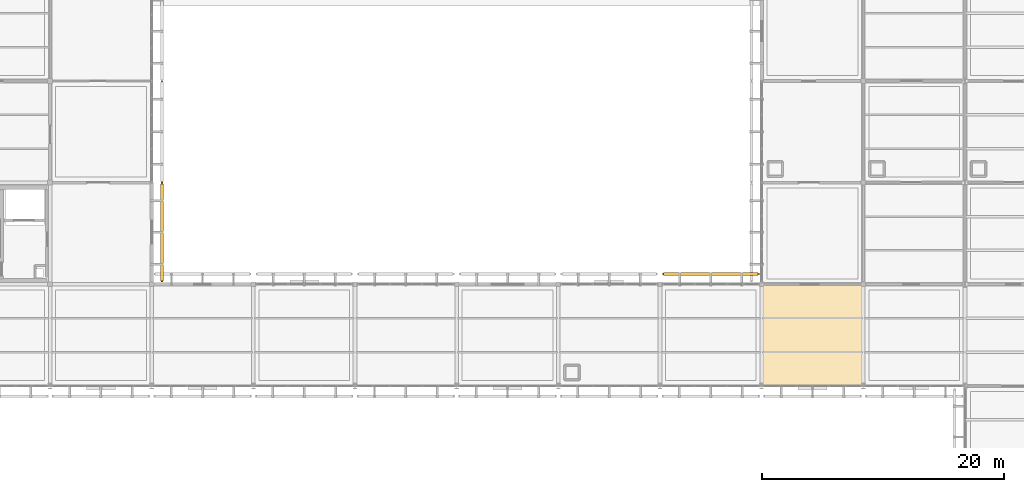
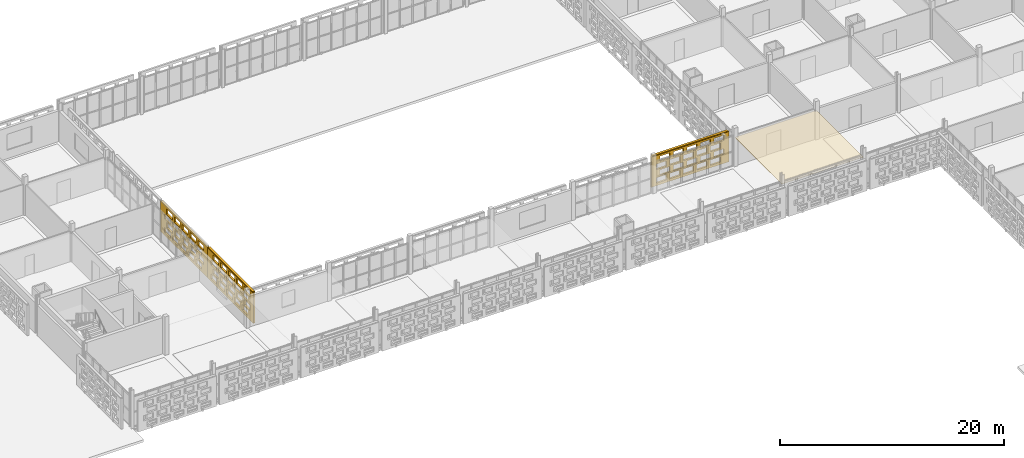
# One storey, part 145 of 166: 4 coverings, 2 shading devices, 60 openings.
"""IFC4 building model written with IfcOpenShell, lengths in metres."""

from ifc_helpers import new_model, si_unit, direction, frame, frame_2d, origin, origin_2d, place, context, subcontext, project, spatial, rectangle, extrude, material, layer, layer_set, type_object, element, save


model = new_model("IFC4")

# Units and contexts
model_context = context("Model", 3, precision=1e-05, world=origin(), true_north=direction((0.0, 1.0)))
body_context = subcontext(model_context, "Body", "Model", "MODEL_VIEW")
ifc_project = project(units=[si_unit("LENGTHUNIT", "METRE"), si_unit("AREAUNIT", "SQUARE_METRE"), si_unit("VOLUMEUNIT", "CUBIC_METRE"), si_unit("PLANEANGLEUNIT", "RADIAN"), si_unit("MASSUNIT", "GRAM", prefix="KILO")], contexts=[model_context])

# Site, building, storey
site_placement = place(None, origin())
site = spatial("IfcSite", under=ifc_project, at=site_placement, CompositionType="ELEMENT")
building_placement = place(site_placement, origin())
building = spatial("IfcBuilding", under=site, at=building_placement, Name="Varnapada Polytechnic", CompositionType="ELEMENT")
storey_placement = place(building_placement, frame((0.0, 0.0, 9.60009765625)))
storey = spatial("IfcBuildingStorey", under=building, at=storey_placement, Name="L02", CompositionType="ELEMENT", Elevation=9.60009765625)

# Covering
ifc_material_1 = material(Name="Micro-Perforated Gypsum Acoustic Ceiling")
ifc_layer_1 = layer(ifc_material_1, 0.044921875)
ifc_layer_set_1 = layer_set([ifc_layer_1], Name="Micro-Perforated Gypsum Acoustic Ceiling")
covering_type_1 = type_object("IfcCoveringType", Name="Suspended Ceiling CLG-04", PredefinedType="CEILING", material=ifc_layer_set_1)
covering_1_placement = place(storey_placement, frame((121.800048828125, 88.199951171875, 3.02734375), z_axis=(0.0, 0.0, 1.0), x_axis=(1.0, 0.0, 0.0)))
element("IfcCovering", 1, at=covering_1_placement, inside=storey, type_object=covering_type_1, Name="L02 suspended acoustic ceiling (15,11)", PredefinedType="CEILING", context=body_context, shape_type="SweptSolid", body=[
    extrude(rectangle(XDim=8.419921875, YDim=8.419921875, at=origin_2d()), origin(), (0.0, 0.0, 1.0), 0.044921875),
])

# Covering, openings
ifc_material_2 = material(Name="Earth-toned architectural terracotta screen block", Category="masonry")
ifc_layer_2 = layer(ifc_material_2, 0.1201171875)
ifc_layer_set_2 = layer_set([ifc_layer_2], Name="Earth-toned architectural terracotta screen block")
covering_type_2 = type_object("IfcCoveringType", Name="Terracotta Screen Cladding CLD-01", PredefinedType="CLADDING", material=ifc_layer_set_2)
covering_2_placement = place(storey_placement, frame((68.050048828125, 100.800048828125, 0.0), z_axis=(0.0, 0.0, 1.0), x_axis=(0.0, -1.0, 0.0)))
covering_2 = element("IfcCovering", 2, at=covering_2_placement, inside=storey, type_object=covering_type_2, Name="L02 perforated terracotta block screen (53)", PredefinedType="CLADDING", context=body_context, shape_type="SweptSolid", body=[
    extrude(rectangle(XDim=8.2099609375, YDim=0.179931640625, at=frame_2d((4.10498046875, 0.0))), origin(), (0.0, 0.0, 1.0), 3.31982421875),
])
opening_1_placement = place(covering_2_placement, frame((0.60498046875, 0.0, 0.265625)))
element("IfcOpeningElement", 3, at=opening_1_placement, cuts=covering_2, Name="Screen perforation TBS-L02-052.1", PredefinedType="OPENING", context=body_context, shape_type="SweptSolid", body=[
    extrude(rectangle(XDim=1.0400390625, YDim=0.5810546875, at=frame_2d((0.52001953125, 0.29052734375))), frame((0.0, 0.099853515625, 0.0), z_axis=(0.0, -1.0, 0.0), x_axis=(1.0, 0.0, 0.0)), (0.0, 0.0, 1.0), 0.199951171875),
])
opening_2_placement = place(covering_2_placement, frame((2.0048828125, 0.0, 0.265625)))
element("IfcOpeningElement", 4, at=opening_2_placement, cuts=covering_2, Name="Screen perforation TBS-L02-052.2", PredefinedType="OPENING", context=body_context, shape_type="SweptSolid", body=[
    extrude(rectangle(XDim=1.0400390625, YDim=0.5810546875, at=frame_2d((0.52001953125, 0.29052734375))), frame((0.0, 0.099853515625, 0.0), z_axis=(0.0, -1.0, 0.0), x_axis=(1.0, 0.0, 0.0)), (0.0, 0.0, 1.0), 0.199951171875),
])
opening_3_placement = place(covering_2_placement, frame((3.405029296875, 0.0, 0.265625)))
element("IfcOpeningElement", 5, at=opening_3_placement, cuts=covering_2, Name="Screen perforation TBS-L02-052.3", PredefinedType="OPENING", context=body_context, shape_type="SweptSolid", body=[
    extrude(rectangle(XDim=1.0400390625, YDim=0.5810546875, at=frame_2d((0.52001953125, 0.29052734375))), frame((0.0, 0.099853515625, 0.0), z_axis=(0.0, -1.0, 0.0), x_axis=(1.0, 0.0, 0.0)), (0.0, 0.0, 1.0), 0.199951171875),
])
opening_4_placement = place(covering_2_placement, frame((4.804931640625, 0.0, 0.265625)))
element("IfcOpeningElement", 6, at=opening_4_placement, cuts=covering_2, Name="Screen perforation TBS-L02-052.4", PredefinedType="OPENING", context=body_context, shape_type="SweptSolid", body=[
    extrude(rectangle(XDim=1.0400390625, YDim=0.5810546875, at=frame_2d((0.52001953125, 0.29052734375))), frame((0.0, 0.099853515625, 0.0), z_axis=(0.0, -1.0, 0.0), x_axis=(1.0, 0.0, 0.0)), (0.0, 0.0, 1.0), 0.199951171875),
])
opening_5_placement = place(covering_2_placement, frame((6.205078125, 0.0, 0.265625)))
element("IfcOpeningElement", 7, at=opening_5_placement, cuts=covering_2, Name="Screen perforation TBS-L02-052.5", PredefinedType="OPENING", context=body_context, shape_type="SweptSolid", body=[
    extrude(rectangle(XDim=1.0400390625, YDim=0.5810546875, at=frame_2d((0.52001953125, 0.29052734375))), frame((0.0, 0.099853515625, 0.0), z_axis=(0.0, -1.0, 0.0), x_axis=(1.0, 0.0, 0.0)), (0.0, 0.0, 1.0), 0.199951171875),
])
opening_6_placement = place(covering_2_placement, frame((0.965087890625, 0.0, 1.0126953125)))
element("IfcOpeningElement", 8, at=opening_6_placement, cuts=covering_2, Name="Screen perforation TBS-L02-052.6", PredefinedType="OPENING", context=body_context, shape_type="SweptSolid", body=[
    extrude(rectangle(XDim=1.0400390625, YDim=0.5810546875, at=frame_2d((0.52001953125, 0.29052734375))), frame((0.0, 0.099853515625, 0.0), z_axis=(0.0, -1.0, 0.0), x_axis=(1.0, 0.0, 0.0)), (0.0, 0.0, 1.0), 0.199951171875),
])
opening_7_placement = place(covering_2_placement, frame((2.364990234375, 0.0, 1.0126953125)))
element("IfcOpeningElement", 9, at=opening_7_placement, cuts=covering_2, Name="Screen perforation TBS-L02-052.7", PredefinedType="OPENING", context=body_context, shape_type="SweptSolid", body=[
    extrude(rectangle(XDim=1.0400390625, YDim=0.5810546875, at=frame_2d((0.52001953125, 0.29052734375))), frame((0.0, 0.099853515625, 0.0), z_axis=(0.0, -1.0, 0.0), x_axis=(1.0, 0.0, 0.0)), (0.0, 0.0, 1.0), 0.199951171875),
])
opening_8_placement = place(covering_2_placement, frame((3.764892578125, 0.0, 1.0126953125)))
element("IfcOpeningElement", 10, at=opening_8_placement, cuts=covering_2, Name="Screen perforation TBS-L02-052.8", PredefinedType="OPENING", context=body_context, shape_type="SweptSolid", body=[
    extrude(rectangle(XDim=1.0400390625, YDim=0.5810546875, at=frame_2d((0.52001953125, 0.29052734375))), frame((0.0, 0.099853515625, 0.0), z_axis=(0.0, -1.0, 0.0), x_axis=(1.0, 0.0, 0.0)), (0.0, 0.0, 1.0), 0.199951171875),
])
opening_9_placement = place(covering_2_placement, frame((5.1650390625, 0.0, 1.0126953125)))
element("IfcOpeningElement", 11, at=opening_9_placement, cuts=covering_2, Name="Screen perforation TBS-L02-052.9", PredefinedType="OPENING", context=body_context, shape_type="SweptSolid", body=[
    extrude(rectangle(XDim=1.0400390625, YDim=0.5810546875, at=frame_2d((0.52001953125, 0.29052734375))), frame((0.0, 0.099853515625, 0.0), z_axis=(0.0, -1.0, 0.0), x_axis=(1.0, 0.0, 0.0)), (0.0, 0.0, 1.0), 0.199951171875),
])
opening_10_placement = place(covering_2_placement, frame((6.56494140625, 0.0, 1.0126953125)))
element("IfcOpeningElement", 12, at=opening_10_placement, cuts=covering_2, Name="Screen perforation TBS-L02-052.10", PredefinedType="OPENING", context=body_context, shape_type="SweptSolid", body=[
    extrude(rectangle(XDim=1.0400390625, YDim=0.5810546875, at=frame_2d((0.52001953125, 0.29052734375))), frame((0.0, 0.099853515625, 0.0), z_axis=(0.0, -1.0, 0.0), x_axis=(1.0, 0.0, 0.0)), (0.0, 0.0, 1.0), 0.199951171875),
])
opening_11_placement = place(covering_2_placement, frame((0.60498046875, 0.0, 1.759521484375)))
element("IfcOpeningElement", 13, at=opening_11_placement, cuts=covering_2, Name="Screen perforation TBS-L02-052.11", PredefinedType="OPENING", context=body_context, shape_type="SweptSolid", body=[
    extrude(rectangle(XDim=1.0400390625, YDim=0.5810546875, at=frame_2d((0.52001953125, 0.29052734375))), frame((0.0, 0.099853515625, 0.0), z_axis=(0.0, -1.0, 0.0), x_axis=(1.0, 0.0, 0.0)), (0.0, 0.0, 1.0), 0.199951171875),
])
opening_12_placement = place(covering_2_placement, frame((2.0048828125, 0.0, 1.759521484375)))
element("IfcOpeningElement", 14, at=opening_12_placement, cuts=covering_2, Name="Screen perforation TBS-L02-052.12", PredefinedType="OPENING", context=body_context, shape_type="SweptSolid", body=[
    extrude(rectangle(XDim=1.0400390625, YDim=0.5810546875, at=frame_2d((0.52001953125, 0.29052734375))), frame((0.0, 0.099853515625, 0.0), z_axis=(0.0, -1.0, 0.0), x_axis=(1.0, 0.0, 0.0)), (0.0, 0.0, 1.0), 0.199951171875),
])
opening_13_placement = place(covering_2_placement, frame((3.405029296875, 0.0, 1.759521484375)))
element("IfcOpeningElement", 15, at=opening_13_placement, cuts=covering_2, Name="Screen perforation TBS-L02-052.13", PredefinedType="OPENING", context=body_context, shape_type="SweptSolid", body=[
    extrude(rectangle(XDim=1.0400390625, YDim=0.5810546875, at=frame_2d((0.52001953125, 0.29052734375))), frame((0.0, 0.099853515625, 0.0), z_axis=(0.0, -1.0, 0.0), x_axis=(1.0, 0.0, 0.0)), (0.0, 0.0, 1.0), 0.199951171875),
])
opening_14_placement = place(covering_2_placement, frame((4.804931640625, 0.0, 1.759521484375)))
element("IfcOpeningElement", 16, at=opening_14_placement, cuts=covering_2, Name="Screen perforation TBS-L02-052.14", PredefinedType="OPENING", context=body_context, shape_type="SweptSolid", body=[
    extrude(rectangle(XDim=1.0400390625, YDim=0.5810546875, at=frame_2d((0.52001953125, 0.29052734375))), frame((0.0, 0.099853515625, 0.0), z_axis=(0.0, -1.0, 0.0), x_axis=(1.0, 0.0, 0.0)), (0.0, 0.0, 1.0), 0.199951171875),
])
opening_15_placement = place(covering_2_placement, frame((6.205078125, 0.0, 1.759521484375)))
element("IfcOpeningElement", 17, at=opening_15_placement, cuts=covering_2, Name="Screen perforation TBS-L02-052.15", PredefinedType="OPENING", context=body_context, shape_type="SweptSolid", body=[
    extrude(rectangle(XDim=1.0400390625, YDim=0.5810546875, at=frame_2d((0.52001953125, 0.29052734375))), frame((0.0, 0.099853515625, 0.0), z_axis=(0.0, -1.0, 0.0), x_axis=(1.0, 0.0, 0.0)), (0.0, 0.0, 1.0), 0.199951171875),
])
opening_16_placement = place(covering_2_placement, frame((0.965087890625, 0.0, 2.506591796875)))
element("IfcOpeningElement", 18, at=opening_16_placement, cuts=covering_2, Name="Screen perforation TBS-L02-052.16", PredefinedType="OPENING", context=body_context, shape_type="SweptSolid", body=[
    extrude(rectangle(XDim=1.0400390625, YDim=0.5810546875, at=frame_2d((0.52001953125, 0.29052734375))), frame((0.0, 0.099853515625, 0.0), z_axis=(0.0, -1.0, 0.0), x_axis=(1.0, 0.0, 0.0)), (0.0, 0.0, 1.0), 0.199951171875),
])
opening_17_placement = place(covering_2_placement, frame((2.364990234375, 0.0, 2.506591796875)))
element("IfcOpeningElement", 19, at=opening_17_placement, cuts=covering_2, Name="Screen perforation TBS-L02-052.17", PredefinedType="OPENING", context=body_context, shape_type="SweptSolid", body=[
    extrude(rectangle(XDim=1.0400390625, YDim=0.5810546875, at=frame_2d((0.52001953125, 0.29052734375))), frame((0.0, 0.099853515625, 0.0), z_axis=(0.0, -1.0, 0.0), x_axis=(1.0, 0.0, 0.0)), (0.0, 0.0, 1.0), 0.199951171875),
])
opening_18_placement = place(covering_2_placement, frame((3.764892578125, 0.0, 2.506591796875)))
element("IfcOpeningElement", 20, at=opening_18_placement, cuts=covering_2, Name="Screen perforation TBS-L02-052.18", PredefinedType="OPENING", context=body_context, shape_type="SweptSolid", body=[
    extrude(rectangle(XDim=1.0400390625, YDim=0.5810546875, at=frame_2d((0.52001953125, 0.29052734375))), frame((0.0, 0.099853515625, 0.0), z_axis=(0.0, -1.0, 0.0), x_axis=(1.0, 0.0, 0.0)), (0.0, 0.0, 1.0), 0.199951171875),
])
opening_19_placement = place(covering_2_placement, frame((5.1650390625, 0.0, 2.506591796875)))
element("IfcOpeningElement", 21, at=opening_19_placement, cuts=covering_2, Name="Screen perforation TBS-L02-052.19", PredefinedType="OPENING", context=body_context, shape_type="SweptSolid", body=[
    extrude(rectangle(XDim=1.0400390625, YDim=0.5810546875, at=frame_2d((0.52001953125, 0.29052734375))), frame((0.0, 0.099853515625, 0.0), z_axis=(0.0, -1.0, 0.0), x_axis=(1.0, 0.0, 0.0)), (0.0, 0.0, 1.0), 0.199951171875),
])
opening_20_placement = place(covering_2_placement, frame((6.56494140625, 0.0, 2.506591796875)))
element("IfcOpeningElement", 22, at=opening_20_placement, cuts=covering_2, Name="Screen perforation TBS-L02-052.20", PredefinedType="OPENING", context=body_context, shape_type="SweptSolid", body=[
    extrude(rectangle(XDim=1.0400390625, YDim=0.5810546875, at=frame_2d((0.52001953125, 0.29052734375))), frame((0.0, 0.099853515625, 0.0), z_axis=(0.0, -1.0, 0.0), x_axis=(1.0, 0.0, 0.0)), (0.0, 0.0, 1.0), 0.199951171875),
])

covering_3_placement = place(storey_placement, frame((68.050048828125, 109.199951171875, 0.0), z_axis=(0.0, 0.0, 1.0), x_axis=(0.0, -1.0, 0.0)))
covering_3 = element("IfcCovering", 23, at=covering_3_placement, inside=storey, type_object=covering_type_2, Name="L02 perforated terracotta block screen (54)", PredefinedType="CLADDING", context=body_context, shape_type="SweptSolid", body=[
    extrude(rectangle(XDim=8.39990234375, YDim=0.179931640625, at=frame_2d((4.199951171875, 0.0))), origin(), (0.0, 0.0, 1.0), 3.31982421875),
])
opening_21_placement = place(covering_3_placement, frame((0.699951171875, 0.0, 0.265625)))
element("IfcOpeningElement", 24, at=opening_21_placement, cuts=covering_3, Name="Screen perforation TBS-L02-053.1", PredefinedType="OPENING", context=body_context, shape_type="SweptSolid", body=[
    extrude(rectangle(XDim=1.0400390625, YDim=0.5810546875, at=frame_2d((0.52001953125, 0.29052734375))), frame((0.0, 0.099853515625, 0.0), z_axis=(0.0, -1.0, 0.0), x_axis=(1.0, 0.0, 0.0)), (0.0, 0.0, 1.0), 0.199951171875),
])
opening_22_placement = place(covering_3_placement, frame((2.10009765625, 0.0, 0.265625)))
element("IfcOpeningElement", 25, at=opening_22_placement, cuts=covering_3, Name="Screen perforation TBS-L02-053.2", PredefinedType="OPENING", context=body_context, shape_type="SweptSolid", body=[
    extrude(rectangle(XDim=1.0400390625, YDim=0.5810546875, at=frame_2d((0.52001953125, 0.29052734375))), frame((0.0, 0.099853515625, 0.0), z_axis=(0.0, -1.0, 0.0), x_axis=(1.0, 0.0, 0.0)), (0.0, 0.0, 1.0), 0.199951171875),
])
opening_23_placement = place(covering_3_placement, frame((3.5, 0.0, 0.265625)))
element("IfcOpeningElement", 26, at=opening_23_placement, cuts=covering_3, Name="Screen perforation TBS-L02-053.3", PredefinedType="OPENING", context=body_context, shape_type="SweptSolid", body=[
    extrude(rectangle(XDim=1.0400390625, YDim=0.5810546875, at=frame_2d((0.52001953125, 0.29052734375))), frame((0.0, 0.099853515625, 0.0), z_axis=(0.0, -1.0, 0.0), x_axis=(1.0, 0.0, 0.0)), (0.0, 0.0, 1.0), 0.199951171875),
])
opening_24_placement = place(covering_3_placement, frame((4.89990234375, 0.0, 0.265625)))
element("IfcOpeningElement", 27, at=opening_24_placement, cuts=covering_3, Name="Screen perforation TBS-L02-053.4", PredefinedType="OPENING", context=body_context, shape_type="SweptSolid", body=[
    extrude(rectangle(XDim=1.0400390625, YDim=0.5810546875, at=frame_2d((0.52001953125, 0.29052734375))), frame((0.0, 0.099853515625, 0.0), z_axis=(0.0, -1.0, 0.0), x_axis=(1.0, 0.0, 0.0)), (0.0, 0.0, 1.0), 0.199951171875),
])
opening_25_placement = place(covering_3_placement, frame((6.300048828125, 0.0, 0.265625)))
element("IfcOpeningElement", 28, at=opening_25_placement, cuts=covering_3, Name="Screen perforation TBS-L02-053.5", PredefinedType="OPENING", context=body_context, shape_type="SweptSolid", body=[
    extrude(rectangle(XDim=1.0400390625, YDim=0.5810546875, at=frame_2d((0.52001953125, 0.29052734375))), frame((0.0, 0.099853515625, 0.0), z_axis=(0.0, -1.0, 0.0), x_axis=(1.0, 0.0, 0.0)), (0.0, 0.0, 1.0), 0.199951171875),
])
opening_26_placement = place(covering_3_placement, frame((1.06005859375, 0.0, 1.0126953125)))
element("IfcOpeningElement", 29, at=opening_26_placement, cuts=covering_3, Name="Screen perforation TBS-L02-053.6", PredefinedType="OPENING", context=body_context, shape_type="SweptSolid", body=[
    extrude(rectangle(XDim=1.0400390625, YDim=0.5810546875, at=frame_2d((0.52001953125, 0.29052734375))), frame((0.0, 0.099853515625, 0.0), z_axis=(0.0, -1.0, 0.0), x_axis=(1.0, 0.0, 0.0)), (0.0, 0.0, 1.0), 0.199951171875),
])
opening_27_placement = place(covering_3_placement, frame((2.4599609375, 0.0, 1.0126953125)))
element("IfcOpeningElement", 30, at=opening_27_placement, cuts=covering_3, Name="Screen perforation TBS-L02-053.7", PredefinedType="OPENING", context=body_context, shape_type="SweptSolid", body=[
    extrude(rectangle(XDim=1.0400390625, YDim=0.5810546875, at=frame_2d((0.52001953125, 0.29052734375))), frame((0.0, 0.099853515625, 0.0), z_axis=(0.0, -1.0, 0.0), x_axis=(1.0, 0.0, 0.0)), (0.0, 0.0, 1.0), 0.199951171875),
])
opening_28_placement = place(covering_3_placement, frame((3.860107421875, 0.0, 1.0126953125)))
element("IfcOpeningElement", 31, at=opening_28_placement, cuts=covering_3, Name="Screen perforation TBS-L02-053.8", PredefinedType="OPENING", context=body_context, shape_type="SweptSolid", body=[
    extrude(rectangle(XDim=1.0400390625, YDim=0.5810546875, at=frame_2d((0.52001953125, 0.29052734375))), frame((0.0, 0.099853515625, 0.0), z_axis=(0.0, -1.0, 0.0), x_axis=(1.0, 0.0, 0.0)), (0.0, 0.0, 1.0), 0.199951171875),
])
opening_29_placement = place(covering_3_placement, frame((5.260009765625, 0.0, 1.0126953125)))
element("IfcOpeningElement", 32, at=opening_29_placement, cuts=covering_3, Name="Screen perforation TBS-L02-053.9", PredefinedType="OPENING", context=body_context, shape_type="SweptSolid", body=[
    extrude(rectangle(XDim=1.0400390625, YDim=0.5810546875, at=frame_2d((0.52001953125, 0.29052734375))), frame((0.0, 0.099853515625, 0.0), z_axis=(0.0, -1.0, 0.0), x_axis=(1.0, 0.0, 0.0)), (0.0, 0.0, 1.0), 0.199951171875),
])
opening_30_placement = place(covering_3_placement, frame((6.659912109375, 0.0, 1.0126953125)))
element("IfcOpeningElement", 33, at=opening_30_placement, cuts=covering_3, Name="Screen perforation TBS-L02-053.10", PredefinedType="OPENING", context=body_context, shape_type="SweptSolid", body=[
    extrude(rectangle(XDim=1.0400390625, YDim=0.5810546875, at=frame_2d((0.52001953125, 0.29052734375))), frame((0.0, 0.099853515625, 0.0), z_axis=(0.0, -1.0, 0.0), x_axis=(1.0, 0.0, 0.0)), (0.0, 0.0, 1.0), 0.199951171875),
])
opening_31_placement = place(covering_3_placement, frame((0.699951171875, 0.0, 1.759521484375)))
element("IfcOpeningElement", 34, at=opening_31_placement, cuts=covering_3, Name="Screen perforation TBS-L02-053.11", PredefinedType="OPENING", context=body_context, shape_type="SweptSolid", body=[
    extrude(rectangle(XDim=1.0400390625, YDim=0.5810546875, at=frame_2d((0.52001953125, 0.29052734375))), frame((0.0, 0.099853515625, 0.0), z_axis=(0.0, -1.0, 0.0), x_axis=(1.0, 0.0, 0.0)), (0.0, 0.0, 1.0), 0.199951171875),
])
opening_32_placement = place(covering_3_placement, frame((2.10009765625, 0.0, 1.759521484375)))
element("IfcOpeningElement", 35, at=opening_32_placement, cuts=covering_3, Name="Screen perforation TBS-L02-053.12", PredefinedType="OPENING", context=body_context, shape_type="SweptSolid", body=[
    extrude(rectangle(XDim=1.0400390625, YDim=0.5810546875, at=frame_2d((0.52001953125, 0.29052734375))), frame((0.0, 0.099853515625, 0.0), z_axis=(0.0, -1.0, 0.0), x_axis=(1.0, 0.0, 0.0)), (0.0, 0.0, 1.0), 0.199951171875),
])
opening_33_placement = place(covering_3_placement, frame((3.5, 0.0, 1.759521484375)))
element("IfcOpeningElement", 36, at=opening_33_placement, cuts=covering_3, Name="Screen perforation TBS-L02-053.13", PredefinedType="OPENING", context=body_context, shape_type="SweptSolid", body=[
    extrude(rectangle(XDim=1.0400390625, YDim=0.5810546875, at=frame_2d((0.52001953125, 0.29052734375))), frame((0.0, 0.099853515625, 0.0), z_axis=(0.0, -1.0, 0.0), x_axis=(1.0, 0.0, 0.0)), (0.0, 0.0, 1.0), 0.199951171875),
])
opening_34_placement = place(covering_3_placement, frame((4.89990234375, 0.0, 1.759521484375)))
element("IfcOpeningElement", 37, at=opening_34_placement, cuts=covering_3, Name="Screen perforation TBS-L02-053.14", PredefinedType="OPENING", context=body_context, shape_type="SweptSolid", body=[
    extrude(rectangle(XDim=1.0400390625, YDim=0.5810546875, at=frame_2d((0.52001953125, 0.29052734375))), frame((0.0, 0.099853515625, 0.0), z_axis=(0.0, -1.0, 0.0), x_axis=(1.0, 0.0, 0.0)), (0.0, 0.0, 1.0), 0.199951171875),
])
opening_35_placement = place(covering_3_placement, frame((6.300048828125, 0.0, 1.759521484375)))
element("IfcOpeningElement", 38, at=opening_35_placement, cuts=covering_3, Name="Screen perforation TBS-L02-053.15", PredefinedType="OPENING", context=body_context, shape_type="SweptSolid", body=[
    extrude(rectangle(XDim=1.0400390625, YDim=0.5810546875, at=frame_2d((0.52001953125, 0.29052734375))), frame((0.0, 0.099853515625, 0.0), z_axis=(0.0, -1.0, 0.0), x_axis=(1.0, 0.0, 0.0)), (0.0, 0.0, 1.0), 0.199951171875),
])
opening_36_placement = place(covering_3_placement, frame((1.06005859375, 0.0, 2.506591796875)))
element("IfcOpeningElement", 39, at=opening_36_placement, cuts=covering_3, Name="Screen perforation TBS-L02-053.16", PredefinedType="OPENING", context=body_context, shape_type="SweptSolid", body=[
    extrude(rectangle(XDim=1.0400390625, YDim=0.5810546875, at=frame_2d((0.52001953125, 0.29052734375))), frame((0.0, 0.099853515625, 0.0), z_axis=(0.0, -1.0, 0.0), x_axis=(1.0, 0.0, 0.0)), (0.0, 0.0, 1.0), 0.199951171875),
])
opening_37_placement = place(covering_3_placement, frame((2.4599609375, 0.0, 2.506591796875)))
element("IfcOpeningElement", 40, at=opening_37_placement, cuts=covering_3, Name="Screen perforation TBS-L02-053.17", PredefinedType="OPENING", context=body_context, shape_type="SweptSolid", body=[
    extrude(rectangle(XDim=1.0400390625, YDim=0.5810546875, at=frame_2d((0.52001953125, 0.29052734375))), frame((0.0, 0.099853515625, 0.0), z_axis=(0.0, -1.0, 0.0), x_axis=(1.0, 0.0, 0.0)), (0.0, 0.0, 1.0), 0.199951171875),
])
opening_38_placement = place(covering_3_placement, frame((3.860107421875, 0.0, 2.506591796875)))
element("IfcOpeningElement", 41, at=opening_38_placement, cuts=covering_3, Name="Screen perforation TBS-L02-053.18", PredefinedType="OPENING", context=body_context, shape_type="SweptSolid", body=[
    extrude(rectangle(XDim=1.0400390625, YDim=0.5810546875, at=frame_2d((0.52001953125, 0.29052734375))), frame((0.0, 0.099853515625, 0.0), z_axis=(0.0, -1.0, 0.0), x_axis=(1.0, 0.0, 0.0)), (0.0, 0.0, 1.0), 0.199951171875),
])
opening_39_placement = place(covering_3_placement, frame((5.260009765625, 0.0, 2.506591796875)))
element("IfcOpeningElement", 42, at=opening_39_placement, cuts=covering_3, Name="Screen perforation TBS-L02-053.19", PredefinedType="OPENING", context=body_context, shape_type="SweptSolid", body=[
    extrude(rectangle(XDim=1.0400390625, YDim=0.5810546875, at=frame_2d((0.52001953125, 0.29052734375))), frame((0.0, 0.099853515625, 0.0), z_axis=(0.0, -1.0, 0.0), x_axis=(1.0, 0.0, 0.0)), (0.0, 0.0, 1.0), 0.199951171875),
])
opening_40_placement = place(covering_3_placement, frame((6.659912109375, 0.0, 2.506591796875)))
element("IfcOpeningElement", 43, at=opening_40_placement, cuts=covering_3, Name="Screen perforation TBS-L02-053.20", PredefinedType="OPENING", context=body_context, shape_type="SweptSolid", body=[
    extrude(rectangle(XDim=1.0400390625, YDim=0.5810546875, at=frame_2d((0.52001953125, 0.29052734375))), frame((0.0, 0.099853515625, 0.0), z_axis=(0.0, -1.0, 0.0), x_axis=(1.0, 0.0, 0.0)), (0.0, 0.0, 1.0), 0.199951171875),
])

covering_4_placement = place(storey_placement, frame((109.39990234375, 93.25, 0.0), z_axis=(0.0, 0.0, 1.0), x_axis=(1.0, 0.0, 0.0)))
covering_4 = element("IfcCovering", 44, at=covering_4_placement, inside=storey, type_object=covering_type_2, Name="L02 perforated terracotta block screen (69)", PredefinedType="CLADDING", context=body_context, shape_type="SweptSolid", body=[
    extrude(rectangle(XDim=8.010009765625, YDim=0.179931640625, at=frame_2d((4.0048828125, 0.0))), origin(), (0.0, 0.0, 1.0), 3.31982421875),
])
opening_41_placement = place(covering_4_placement, frame((0.5048828125, 0.0, 0.265625)))
element("IfcOpeningElement", 45, at=opening_41_placement, cuts=covering_4, Name="Screen perforation TBS-L02-068.1", PredefinedType="OPENING", context=body_context, shape_type="SweptSolid", body=[
    extrude(rectangle(XDim=1.0400390625, YDim=0.5810546875, at=frame_2d((0.52001953125, 0.29052734375))), frame((0.0, 0.099853515625, 0.0), z_axis=(0.0, -1.0, 0.0), x_axis=(1.0, 0.0, 0.0)), (0.0, 0.0, 1.0), 0.199951171875),
])
opening_42_placement = place(covering_4_placement, frame((1.905029296875, 0.0, 0.265625)))
element("IfcOpeningElement", 46, at=opening_42_placement, cuts=covering_4, Name="Screen perforation TBS-L02-068.2", PredefinedType="OPENING", context=body_context, shape_type="SweptSolid", body=[
    extrude(rectangle(XDim=1.0400390625, YDim=0.5810546875, at=frame_2d((0.52001953125, 0.29052734375))), frame((0.0, 0.099853515625, 0.0), z_axis=(0.0, -1.0, 0.0), x_axis=(1.0, 0.0, 0.0)), (0.0, 0.0, 1.0), 0.199951171875),
])
opening_43_placement = place(covering_4_placement, frame((3.304931640625, 0.0, 0.265625)))
element("IfcOpeningElement", 47, at=opening_43_placement, cuts=covering_4, Name="Screen perforation TBS-L02-068.3", PredefinedType="OPENING", context=body_context, shape_type="SweptSolid", body=[
    extrude(rectangle(XDim=1.0400390625, YDim=0.5810546875, at=frame_2d((0.52001953125, 0.29052734375))), frame((0.0, 0.099853515625, 0.0), z_axis=(0.0, -1.0, 0.0), x_axis=(1.0, 0.0, 0.0)), (0.0, 0.0, 1.0), 0.199951171875),
])
opening_44_placement = place(covering_4_placement, frame((4.705078125, 0.0, 0.265625)))
element("IfcOpeningElement", 48, at=opening_44_placement, cuts=covering_4, Name="Screen perforation TBS-L02-068.4", PredefinedType="OPENING", context=body_context, shape_type="SweptSolid", body=[
    extrude(rectangle(XDim=1.0400390625, YDim=0.5810546875, at=frame_2d((0.52001953125, 0.29052734375))), frame((0.0, 0.099853515625, 0.0), z_axis=(0.0, -1.0, 0.0), x_axis=(1.0, 0.0, 0.0)), (0.0, 0.0, 1.0), 0.199951171875),
])
opening_45_placement = place(covering_4_placement, frame((6.10498046875, 0.0, 0.265625)))
element("IfcOpeningElement", 49, at=opening_45_placement, cuts=covering_4, Name="Screen perforation TBS-L02-068.5", PredefinedType="OPENING", context=body_context, shape_type="SweptSolid", body=[
    extrude(rectangle(XDim=1.0400390625, YDim=0.5810546875, at=frame_2d((0.52001953125, 0.29052734375))), frame((0.0, 0.099853515625, 0.0), z_axis=(0.0, -1.0, 0.0), x_axis=(1.0, 0.0, 0.0)), (0.0, 0.0, 1.0), 0.199951171875),
])
opening_46_placement = place(covering_4_placement, frame((0.864990234375, 0.0, 1.0126953125)))
element("IfcOpeningElement", 50, at=opening_46_placement, cuts=covering_4, Name="Screen perforation TBS-L02-068.6", PredefinedType="OPENING", context=body_context, shape_type="SweptSolid", body=[
    extrude(rectangle(XDim=1.0400390625, YDim=0.5810546875, at=frame_2d((0.52001953125, 0.29052734375))), frame((0.0, 0.099853515625, 0.0), z_axis=(0.0, -1.0, 0.0), x_axis=(1.0, 0.0, 0.0)), (0.0, 0.0, 1.0), 0.199951171875),
])
opening_47_placement = place(covering_4_placement, frame((2.264892578125, 0.0, 1.0126953125)))
element("IfcOpeningElement", 51, at=opening_47_placement, cuts=covering_4, Name="Screen perforation TBS-L02-068.7", PredefinedType="OPENING", context=body_context, shape_type="SweptSolid", body=[
    extrude(rectangle(XDim=1.0400390625, YDim=0.5810546875, at=frame_2d((0.52001953125, 0.29052734375))), frame((0.0, 0.099853515625, 0.0), z_axis=(0.0, -1.0, 0.0), x_axis=(1.0, 0.0, 0.0)), (0.0, 0.0, 1.0), 0.199951171875),
])
opening_48_placement = place(covering_4_placement, frame((3.6650390625, 0.0, 1.0126953125)))
element("IfcOpeningElement", 52, at=opening_48_placement, cuts=covering_4, Name="Screen perforation TBS-L02-068.8", PredefinedType="OPENING", context=body_context, shape_type="SweptSolid", body=[
    extrude(rectangle(XDim=1.0400390625, YDim=0.5810546875, at=frame_2d((0.52001953125, 0.29052734375))), frame((0.0, 0.099853515625, 0.0), z_axis=(0.0, -1.0, 0.0), x_axis=(1.0, 0.0, 0.0)), (0.0, 0.0, 1.0), 0.199951171875),
])
opening_49_placement = place(covering_4_placement, frame((5.06494140625, 0.0, 1.0126953125)))
element("IfcOpeningElement", 53, at=opening_49_placement, cuts=covering_4, Name="Screen perforation TBS-L02-068.9", PredefinedType="OPENING", context=body_context, shape_type="SweptSolid", body=[
    extrude(rectangle(XDim=1.0400390625, YDim=0.5810546875, at=frame_2d((0.52001953125, 0.29052734375))), frame((0.0, 0.099853515625, 0.0), z_axis=(0.0, -1.0, 0.0), x_axis=(1.0, 0.0, 0.0)), (0.0, 0.0, 1.0), 0.199951171875),
])
opening_50_placement = place(covering_4_placement, frame((6.465087890625, 0.0, 1.0126953125)))
element("IfcOpeningElement", 54, at=opening_50_placement, cuts=covering_4, Name="Screen perforation TBS-L02-068.10", PredefinedType="OPENING", context=body_context, shape_type="SweptSolid", body=[
    extrude(rectangle(XDim=1.0400390625, YDim=0.5810546875, at=frame_2d((0.52001953125, 0.29052734375))), frame((0.0, 0.099853515625, 0.0), z_axis=(0.0, -1.0, 0.0), x_axis=(1.0, 0.0, 0.0)), (0.0, 0.0, 1.0), 0.199951171875),
])
opening_51_placement = place(covering_4_placement, frame((0.5048828125, 0.0, 1.759521484375)))
element("IfcOpeningElement", 55, at=opening_51_placement, cuts=covering_4, Name="Screen perforation TBS-L02-068.11", PredefinedType="OPENING", context=body_context, shape_type="SweptSolid", body=[
    extrude(rectangle(XDim=1.0400390625, YDim=0.5810546875, at=frame_2d((0.52001953125, 0.29052734375))), frame((0.0, 0.099853515625, 0.0), z_axis=(0.0, -1.0, 0.0), x_axis=(1.0, 0.0, 0.0)), (0.0, 0.0, 1.0), 0.199951171875),
])
opening_52_placement = place(covering_4_placement, frame((1.905029296875, 0.0, 1.759521484375)))
element("IfcOpeningElement", 56, at=opening_52_placement, cuts=covering_4, Name="Screen perforation TBS-L02-068.12", PredefinedType="OPENING", context=body_context, shape_type="SweptSolid", body=[
    extrude(rectangle(XDim=1.0400390625, YDim=0.5810546875, at=frame_2d((0.52001953125, 0.29052734375))), frame((0.0, 0.099853515625, 0.0), z_axis=(0.0, -1.0, 0.0), x_axis=(1.0, 0.0, 0.0)), (0.0, 0.0, 1.0), 0.199951171875),
])
opening_53_placement = place(covering_4_placement, frame((3.304931640625, 0.0, 1.759521484375)))
element("IfcOpeningElement", 57, at=opening_53_placement, cuts=covering_4, Name="Screen perforation TBS-L02-068.13", PredefinedType="OPENING", context=body_context, shape_type="SweptSolid", body=[
    extrude(rectangle(XDim=1.0400390625, YDim=0.5810546875, at=frame_2d((0.52001953125, 0.29052734375))), frame((0.0, 0.099853515625, 0.0), z_axis=(0.0, -1.0, 0.0), x_axis=(1.0, 0.0, 0.0)), (0.0, 0.0, 1.0), 0.199951171875),
])
opening_54_placement = place(covering_4_placement, frame((4.705078125, 0.0, 1.759521484375)))
element("IfcOpeningElement", 58, at=opening_54_placement, cuts=covering_4, Name="Screen perforation TBS-L02-068.14", PredefinedType="OPENING", context=body_context, shape_type="SweptSolid", body=[
    extrude(rectangle(XDim=1.0400390625, YDim=0.5810546875, at=frame_2d((0.52001953125, 0.29052734375))), frame((0.0, 0.099853515625, 0.0), z_axis=(0.0, -1.0, 0.0), x_axis=(1.0, 0.0, 0.0)), (0.0, 0.0, 1.0), 0.199951171875),
])
opening_55_placement = place(covering_4_placement, frame((6.10498046875, 0.0, 1.759521484375)))
element("IfcOpeningElement", 59, at=opening_55_placement, cuts=covering_4, Name="Screen perforation TBS-L02-068.15", PredefinedType="OPENING", context=body_context, shape_type="SweptSolid", body=[
    extrude(rectangle(XDim=1.0400390625, YDim=0.5810546875, at=frame_2d((0.52001953125, 0.29052734375))), frame((0.0, 0.099853515625, 0.0), z_axis=(0.0, -1.0, 0.0), x_axis=(1.0, 0.0, 0.0)), (0.0, 0.0, 1.0), 0.199951171875),
])
opening_56_placement = place(covering_4_placement, frame((0.864990234375, 0.0, 2.506591796875)))
element("IfcOpeningElement", 60, at=opening_56_placement, cuts=covering_4, Name="Screen perforation TBS-L02-068.16", PredefinedType="OPENING", context=body_context, shape_type="SweptSolid", body=[
    extrude(rectangle(XDim=1.0400390625, YDim=0.5810546875, at=frame_2d((0.52001953125, 0.29052734375))), frame((0.0, 0.099853515625, 0.0), z_axis=(0.0, -1.0, 0.0), x_axis=(1.0, 0.0, 0.0)), (0.0, 0.0, 1.0), 0.199951171875),
])
opening_57_placement = place(covering_4_placement, frame((2.264892578125, 0.0, 2.506591796875)))
element("IfcOpeningElement", 61, at=opening_57_placement, cuts=covering_4, Name="Screen perforation TBS-L02-068.17", PredefinedType="OPENING", context=body_context, shape_type="SweptSolid", body=[
    extrude(rectangle(XDim=1.0400390625, YDim=0.5810546875, at=frame_2d((0.52001953125, 0.29052734375))), frame((0.0, 0.099853515625, 0.0), z_axis=(0.0, -1.0, 0.0), x_axis=(1.0, 0.0, 0.0)), (0.0, 0.0, 1.0), 0.199951171875),
])
opening_58_placement = place(covering_4_placement, frame((3.6650390625, 0.0, 2.506591796875)))
element("IfcOpeningElement", 62, at=opening_58_placement, cuts=covering_4, Name="Screen perforation TBS-L02-068.18", PredefinedType="OPENING", context=body_context, shape_type="SweptSolid", body=[
    extrude(rectangle(XDim=1.0400390625, YDim=0.5810546875, at=frame_2d((0.52001953125, 0.29052734375))), frame((0.0, 0.099853515625, 0.0), z_axis=(0.0, -1.0, 0.0), x_axis=(1.0, 0.0, 0.0)), (0.0, 0.0, 1.0), 0.199951171875),
])
opening_59_placement = place(covering_4_placement, frame((5.06494140625, 0.0, 2.506591796875)))
element("IfcOpeningElement", 63, at=opening_59_placement, cuts=covering_4, Name="Screen perforation TBS-L02-068.19", PredefinedType="OPENING", context=body_context, shape_type="SweptSolid", body=[
    extrude(rectangle(XDim=1.0400390625, YDim=0.5810546875, at=frame_2d((0.52001953125, 0.29052734375))), frame((0.0, 0.099853515625, 0.0), z_axis=(0.0, -1.0, 0.0), x_axis=(1.0, 0.0, 0.0)), (0.0, 0.0, 1.0), 0.199951171875),
])
opening_60_placement = place(covering_4_placement, frame((6.465087890625, 0.0, 2.506591796875)))
element("IfcOpeningElement", 64, at=opening_60_placement, cuts=covering_4, Name="Screen perforation TBS-L02-068.20", PredefinedType="OPENING", context=body_context, shape_type="SweptSolid", body=[
    extrude(rectangle(XDim=1.0400390625, YDim=0.5810546875, at=frame_2d((0.52001953125, 0.29052734375))), frame((0.0, 0.099853515625, 0.0), z_axis=(0.0, -1.0, 0.0), x_axis=(1.0, 0.0, 0.0)), (0.0, 0.0, 1.0), 0.199951171875),
])

# Shading devices
ifc_layer_3 = layer(ifc_material_2, 0.179931640625)
ifc_layer_set_3 = layer_set([ifc_layer_3], Name="Earth-toned architectural terracotta screen block")
shading_device_type = type_object("IfcShadingDeviceType", Name="Terracotta Screen SCR-01", PredefinedType="USERDEFINED", material=ifc_layer_set_3)
shading_device_1_placement = place(storey_placement, frame((68.050048828125, 96.695068359375, 3.309814453125), z_axis=(0.0, 0.0, 1.0), x_axis=(0.0, -1.0, 0.0)))
element("IfcShadingDevice", 65, at=shading_device_1_placement, inside=storey, type_object=shading_device_type, Name="L02 perforated terracotta screen hood 278", ObjectType="SCREEN", PredefinedType="USERDEFINED", context=body_context, shape_type="SweptSolid", body=[
    extrude(rectangle(XDim=8.010009765625, YDim=0.239990234375, at=origin_2d()), origin(), (0.0, 0.0, 1.0), 0.10009765625),
])
shading_device_2_placement = place(storey_placement, frame((113.405029296875, 93.25, 3.309814453125), z_axis=(0.0, 0.0, 1.0), x_axis=(1.0, 0.0, 0.0)))
element("IfcShadingDevice", 66, at=shading_device_2_placement, inside=storey, type_object=shading_device_type, Name="L02 perforated terracotta screen hood 294", ObjectType="SCREEN", PredefinedType="USERDEFINED", context=body_context, shape_type="SweptSolid", body=[
    extrude(rectangle(XDim=7.81005859375, YDim=0.239990234375, at=origin_2d()), origin(), (0.0, 0.0, 1.0), 0.10009765625),
])

save(model, "model.ifc")
